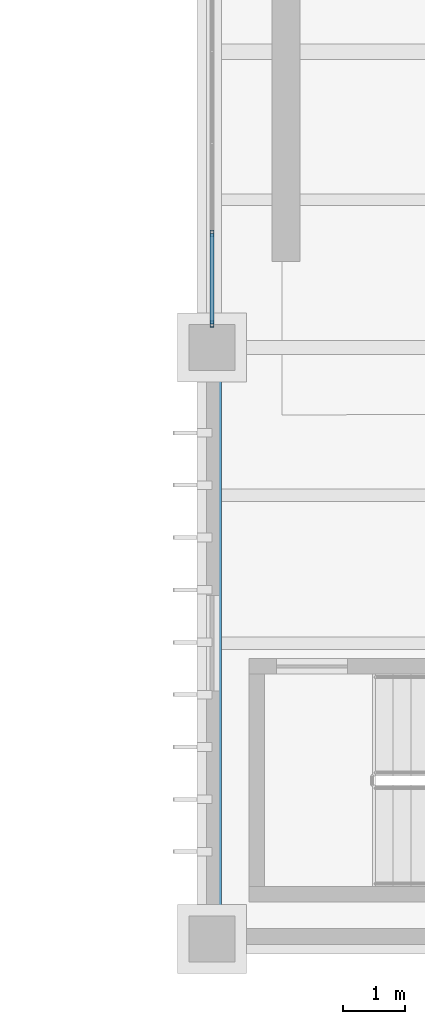
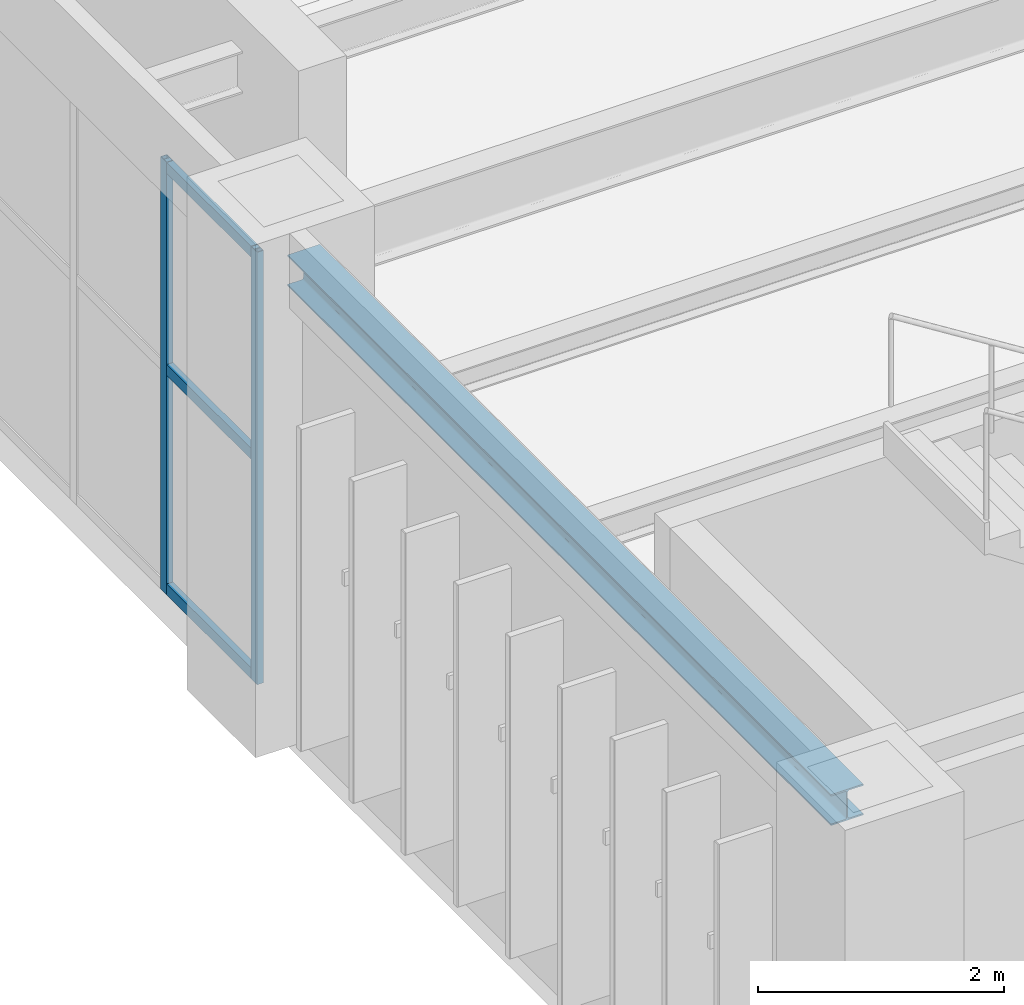
# One storey, part 43 of 174: 5 members, 1 beam, 1 element without a shape of its own.
"""IFC4 building model written with IfcOpenShell, lengths in metres."""

import ifcopenshell
import ifcopenshell.guid

model = None  # the IFC model being written
_history = None  # IfcOwnerHistory: only IFC2X3 demands one
_inside = {}  # id of a spatial element -> (the spatial element, [elements in it])
_under = {}  # id of a project, library or spatial element -> (it, [spatial elements below it])
_declared = {}  # id of a project -> (the project, [libraries it declares])
_typed = {}  # id of a type object -> (the type object, [elements of that type])
_made_of = {}  # id of a material, layer set ... -> (it, [elements and type objects made of it])


def new_model(schema):
    """Start an empty IFC model of exactly this schema.

    Asked for "IFC4X3", IfcOpenShell would pick the latest addendum, in which some entities
    have other attributes; the version numbers below select the first issue.
    IFC2X3 requires an IfcOwnerHistory on every rooted entity: one is made here for all.
    """
    global model, _history
    if schema == "IFC4X3":
        model = ifcopenshell.file(schema_version=(4, 3, 0, 0))
    else:
        model = ifcopenshell.file(schema=schema)
    _inside.clear()
    _under.clear()
    _declared.clear()
    _typed.clear()
    _made_of.clear()
    _history = None
    if model.schema == "IFC2X3":
        org = make("IfcOrganization", Name="unknown")
        user = make(
            "IfcPersonAndOrganization",
            ThePerson=make("IfcPerson", FamilyName="unknown"),
            TheOrganization=org,
        )
        app = make(
            "IfcApplication",
            ApplicationDeveloper=org,
            Version="unknown",
            ApplicationFullName="unknown",
            ApplicationIdentifier="unknown",
        )
        _history = make(
            "IfcOwnerHistory",
            OwningUser=user,
            OwningApplication=app,
            ChangeAction="ADDED",
            CreationDate=0,
        )
    return model


def make(cls, **values):
    """One entity of the class cls with the attributes given. An attribute that is None is left unset."""
    return model.create_entity(
        cls, **{name: value for name, value in values.items() if value is not None}
    )


def rooted(cls, **values):
    """An entity with a GlobalId (a new one), such as an element, a storey or a relation."""
    return make(cls, GlobalId=ifcopenshell.guid.new(), OwnerHistory=_history, **values)


def si_unit(unit_type, name, prefix=None):
    """IfcSIUnit, for example si_unit("LENGTHUNIT", "METRE", prefix="MILLI")."""
    return make("IfcSIUnit", UnitType=unit_type, Prefix=prefix, Name=name)


def assignment(units):
    """IfcUnitAssignment: the units of a project."""
    return None if units is None else make("IfcUnitAssignment", Units=units)


def point(xyz):
    """IfcCartesianPoint."""
    return None if xyz is None else make("IfcCartesianPoint", Coordinates=xyz)


def direction(xyz):
    """IfcDirection."""
    return None if xyz is None else make("IfcDirection", DirectionRatios=xyz)


def frame(location, z_axis=None, x_axis=None):
    """IfcAxis2Placement3D, a coordinate frame: its origin and axes. An axis left out is left unset."""
    return make(
        "IfcAxis2Placement3D",
        Location=point(location),
        Axis=direction(z_axis),
        RefDirection=direction(x_axis),
    )


def frame_2d(location, x_axis=None):
    """IfcAxis2Placement2D, a coordinate frame in the plane: its origin and x axis."""
    return make(
        "IfcAxis2Placement2D", Location=point(location), RefDirection=direction(x_axis)
    )


def origin():
    """The frame at (0, 0, 0) with its axes left unset."""
    return frame((0.0, 0.0, 0.0))


def origin_2d():
    """The frame at (0, 0) in the plane with its x axis left unset."""
    return frame_2d((0.0, 0.0))


def place(relative_to, where):
    """IfcLocalPlacement: puts the frame where relative to a parent placement (None: the world)."""
    return make(
        "IfcLocalPlacement", PlacementRelTo=relative_to, RelativePlacement=where
    )


def context(
    kind, dimensions, precision=None, world=None, true_north=None, identifier=None
):
    """IfcGeometricRepresentationContext, for example the 3D "Model" context."""
    return make(
        "IfcGeometricRepresentationContext",
        ContextIdentifier=identifier,
        ContextType=kind,
        CoordinateSpaceDimension=dimensions,
        Precision=precision,
        WorldCoordinateSystem=world,
        TrueNorth=true_north,
    )


def subcontext(parent, identifier, kind, view, scale=None):
    """IfcGeometricRepresentationSubContext, for example "Body" below "Model"."""
    return make(
        "IfcGeometricRepresentationSubContext",
        ContextIdentifier=identifier,
        ContextType=kind,
        ParentContext=parent,
        TargetScale=scale,
        TargetView=view,
    )


def project(units=None, contexts=None):
    """IfcProject with its units and contexts."""
    return rooted(
        "IfcProject",
        Name="project",
        RepresentationContexts=contexts,
        UnitsInContext=assignment(units),
    )


def spatial(cls, under=None, at=None, **own):
    """A site, building, storey or space (cls), placed at a placement, below another one or the project."""
    s = rooted(cls, ObjectPlacement=at, **own)
    if under is not None:
        _under.setdefault(under.id(), (under, []))[1].append(s)
    return s


def profile(cls, at=None, kind="AREA", **sizes):
    """A parametric profile (cls). Its sizes go by their IFC names, for example OverallWidth=200.0."""
    return make(cls, ProfileType=kind, Position=at, **sizes)


def hollow_rectangle(**sizes):
    """IfcRectangleHollowProfileDef."""
    return profile("IfcRectangleHollowProfileDef", **sizes)


def i_section(**sizes):
    """IfcIShapeProfileDef."""
    return profile("IfcIShapeProfileDef", **sizes)


def extrude(swept, where, along, depth):
    """IfcExtrudedAreaSolid: the profile swept, set in the frame where, extruded along a direction by depth."""
    return make(
        "IfcExtrudedAreaSolid",
        SweptArea=swept,
        Position=where,
        ExtrudedDirection=direction(along),
        Depth=depth,
    )


def shape(context_of_items, identifier, shape_type, items):
    """IfcShapeRepresentation: the items that make up one representation, for example the "Body"."""
    return make(
        "IfcShapeRepresentation",
        ContextOfItems=context_of_items,
        RepresentationIdentifier=identifier,
        RepresentationType=shape_type,
        Items=items,
    )


def material(Name=None, Category=None):
    """IfcMaterial."""
    return make("IfcMaterial", Name=Name, Category=Category)


def material_profile(
    of_material, cross_section, Name=None, Category=None, Priority=None
):
    """IfcMaterialProfile: a cross section and its material."""
    return make(
        "IfcMaterialProfile",
        Name=Name,
        Material=of_material,
        Profile=cross_section,
        Priority=Priority,
        Category=Category,
    )


def profile_set(profiles, Name=None, composite=None):
    """IfcMaterialProfileSet."""
    return make(
        "IfcMaterialProfileSet",
        Name=Name,
        MaterialProfiles=profiles,
        CompositeProfile=composite,
    )


def made_of(thing, what):
    """Note that an element or type object is made of a material, layer set ...; save() writes the relation."""
    if what is not None:
        _made_of.setdefault(what.id(), (what, []))[1].append(thing)
    return thing


def type_object(cls, material=None, **own):
    """A type object (cls), such as IfcWallType, which elements share."""
    return made_of(rooted(cls, **own), material)


def element(
    cls,
    number,
    at=None,
    inside=None,
    cuts=None,
    type_object=None,
    material=None,
    context=None,
    identifier="Body",
    shape_type=None,
    held_by="IfcProductDefinitionShape",
    body=None,
    shapes=None,
    **own,
):
    """One element of the class cls, such as IfcWall. Its Tag is "e" and its number.

    at: its placement. inside: the storey or other place that contains it. cuts: it is an
    opening in that element (IfcRelVoidsElement). A single representation is given by context,
    identifier, shape_type and body (its items); several are given by shapes. held_by: the class
    of the entity that holds the representations. save() writes the other relations.
    """
    e = rooted(cls, Tag="e%d" % number, ObjectPlacement=at, **own)
    if body is not None:
        shapes = [shape(context, identifier, shape_type, body)]
    if shapes is not None:
        e.Representation = make(held_by, Representations=shapes)
    if inside is not None:
        _inside.setdefault(inside.id(), (inside, []))[1].append(e)
    if cuts is not None:
        rooted(
            "IfcRelVoidsElement", RelatingBuildingElement=cuts, RelatedOpeningElement=e
        )
    if type_object is not None:
        _typed.setdefault(type_object.id(), (type_object, []))[1].append(e)
    return made_of(e, material)


def aggregate(whole, parts):
    """IfcRelAggregates: a whole, such as a stair, and the parts it consists of."""
    return rooted("IfcRelAggregates", RelatingObject=whole, RelatedObjects=parts)


def save(model, path):
    """Write the relations noted so far, then the file.

    IfcRelAggregates (storeys below a building ...), IfcRelContainedInSpatialStructure (elements
    in a storey), IfcRelDefinesByType, IfcRelAssociatesMaterial and IfcRelDeclares: one each for
    every whole, place, type object, material and project.
    """
    for whole, parts in _under.values():
        aggregate(whole, parts)
    for where, things in _inside.values():
        rooted(
            "IfcRelContainedInSpatialStructure",
            RelatedElements=things,
            RelatingStructure=where,
        )
    for kind, things in _typed.values():
        rooted("IfcRelDefinesByType", RelatedObjects=things, RelatingType=kind)
    for what, things in _made_of.values():
        rooted("IfcRelAssociatesMaterial", RelatedObjects=things, RelatingMaterial=what)
    for by, libraries in _declared.values():
        rooted("IfcRelDeclares", RelatingContext=by, RelatedDefinitions=libraries)
    model.write(path)


model = new_model("IFC4")

# Units and contexts
model_context = context("Model", 3, precision=1e-05, world=origin(), true_north=direction((0.0, 1.0)))
body_context = subcontext(model_context, "Body", "Model", "MODEL_VIEW")
ifc_project = project(units=[si_unit("LENGTHUNIT", "METRE"), si_unit("AREAUNIT", "SQUARE_METRE"), si_unit("VOLUMEUNIT", "CUBIC_METRE"), si_unit("PLANEANGLEUNIT", "RADIAN"), si_unit("MASSUNIT", "GRAM", prefix="KILO")], contexts=[model_context])

# Site, building, storey
site_placement = place(None, origin())
site = spatial("IfcSite", under=ifc_project, at=site_placement, CompositionType="ELEMENT")
building_placement = place(site_placement, origin())
building = spatial("IfcBuilding", under=site, at=building_placement, Name="Mavantir Sound Aquarium", CompositionType="ELEMENT")
storey_placement = place(building_placement, frame((0.0, 0.0, 5.39990234375)))
storey = spatial("IfcBuildingStorey", under=building, at=storey_placement, Name="L01", CompositionType="ELEMENT", Elevation=5.39990234375)

# Beam
ifc_material_1 = material(Name="Structural Steel ASTM A992 Gr50", Category="steel")
ifc_material_profile_1 = material_profile(ifc_material_1, i_section(OverallWidth=0.304931640625, OverallDepth=0.30810546875, WebThickness=0.010009765625, FlangeThickness=0.015380859375, FilletRadius=0.014892578125, at=origin_2d()), Name="W310X97")
ifc_profile_set_1 = profile_set([ifc_material_profile_1], Name="Structural Steel ASTM A992 Gr50")
beam_type = type_object("IfcBeamType", Name="BM-W310X97-E", PredefinedType="SPANDREL", material=ifc_profile_set_1)
beam_placement = place(storey_placement, frame((108.0, 0.375, 4.592041015625), z_axis=(0.0, 1.0, 0.0), x_axis=(-1.0, 0.0, 0.0)))
element("IfcBeam", 1, at=beam_placement, inside=storey, type_object=beam_type, Name="L01 primary girder SS-31A 1409", PredefinedType="SPANDREL", context=body_context, shape_type="SweptSolid", body=[
    extrude(i_section(OverallWidth=0.304931640625, OverallDepth=0.30810546875, WebThickness=0.010009765625, FlangeThickness=0.015380859375, FilletRadius=0.014892578125, at=origin_2d()), origin(), (0.0, 0.0, 1.0), 8.85009765625),
])

# Curtain wall, members
ifc_material_2 = material(Name="Anodised Marine Aluminium and Low-E Glass", Category="aluminium")
curtain_wall_type = type_object("IfcCurtainWallType", Name="CW-T01", PredefinedType="USERDEFINED", material=ifc_material_2)
curtain_wall_placement = place(storey_placement, origin())
curtain_wall = element("IfcCurtainWall", 2, at=curtain_wall_placement, inside=storey, type_object=curtain_wall_type, Name="L01 unitised curtain wall CW-01 121", ObjectType="UNITISED GLAZING", PredefinedType="USERDEFINED")
ifc_material_3 = material(Name="Anodised Marine Aluminium 6063-T6", Category="aluminium")
ifc_material_profile_2 = material_profile(ifc_material_3, hollow_rectangle(XDim=0.06005859375, YDim=0.10009765625, WallThickness=0.00390625, at=origin_2d()), Name="ALU-MULLION-100X60")
ifc_profile_set_2 = profile_set([ifc_material_profile_2], Name="Anodised Marine Aluminium 6063-T6")
member_type_1 = type_object("IfcMemberType", Name="CW-MUL-100", PredefinedType="MULLION", material=ifc_profile_set_2)
member_1_placement = place(storey_placement, frame((108.0, 11.455322265625, 0.0), z_axis=(0.0, 0.0, 1.0), x_axis=(1.0, 0.0, 0.0)))
member_1 = element("IfcMember", 3, at=member_1_placement, type_object=member_type_1, Name="CW-L01-121 vertical mullion 6", PredefinedType="MULLION", context=body_context, shape_type="SweptSolid", body=[
    extrude(hollow_rectangle(XDim=0.06005859375, YDim=0.10009765625, WallThickness=0.00390625, at=origin_2d()), origin(), (0.0, 0.0, 1.0), 4.299072265625),
])
member_2_placement = place(storey_placement, frame((108.0, 9.98291015625, 0.0), z_axis=(0.0, 0.0, 1.0), x_axis=(1.0, 0.0, 0.0)))
member_2 = element("IfcMember", 4, at=member_2_placement, type_object=member_type_1, Name="CW-L01-121 vertical mullion 7", PredefinedType="MULLION", context=body_context, shape_type="SweptSolid", body=[
    extrude(hollow_rectangle(XDim=0.06005859375, YDim=0.10009765625, WallThickness=0.00390625, at=origin_2d()), origin(), (0.0, 0.0, 1.0), 4.299072265625),
])
ifc_material_profile_3 = material_profile(ifc_material_3, hollow_rectangle(XDim=0.06005859375, YDim=0.110107421875, WallThickness=0.00390625, at=origin_2d()), Name="ALU-TRANSOM-110X60")
ifc_profile_set_3 = profile_set([ifc_material_profile_3], Name="Anodised Marine Aluminium 6063-T6")
member_type_2 = type_object("IfcMemberType", Name="CW-TRN-110", PredefinedType="USERDEFINED", material=ifc_profile_set_3)
member_3_placement = place(storey_placement, frame((108.0, 11.455322265625, 0.05517578125), z_axis=(0.0, -1.0, 0.0), x_axis=(1.0, 0.0, 0.0)))
member_3 = element("IfcMember", 5, at=member_3_placement, type_object=member_type_2, Name="CW-L01-121 transom 6.1", ObjectType="TRANSOM", PredefinedType="USERDEFINED", context=body_context, shape_type="SweptSolid", body=[
    extrude(hollow_rectangle(XDim=0.06005859375, YDim=0.110107421875, WallThickness=0.00390625, at=origin_2d()), origin(), (0.0, 0.0, 1.0), 1.472412109375),
])
member_4_placement = place(storey_placement, frame((108.0, 11.455322265625, 2.235595703125), z_axis=(0.0, -1.0, 0.0), x_axis=(1.0, 0.0, 0.0)))
member_4 = element("IfcMember", 6, at=member_4_placement, type_object=member_type_2, Name="CW-L01-121 transom 6.2", ObjectType="TRANSOM", PredefinedType="USERDEFINED", context=body_context, shape_type="SweptSolid", body=[
    extrude(hollow_rectangle(XDim=0.06005859375, YDim=0.110107421875, WallThickness=0.00390625, at=origin_2d()), origin(), (0.0, 0.0, 1.0), 1.472412109375),
])
member_5_placement = place(storey_placement, frame((108.0, 11.455322265625, 4.244140625), z_axis=(0.0, -1.0, 0.0), x_axis=(1.0, 0.0, 0.0)))
member_5 = element("IfcMember", 7, at=member_5_placement, type_object=member_type_2, Name="CW-L01-121 transom 6.3", ObjectType="TRANSOM", PredefinedType="USERDEFINED", context=body_context, shape_type="SweptSolid", body=[
    extrude(hollow_rectangle(XDim=0.06005859375, YDim=0.110107421875, WallThickness=0.00390625, at=origin_2d()), origin(), (0.0, 0.0, 1.0), 1.472412109375),
])
aggregate(curtain_wall, [member_1, member_2, member_3, member_4, member_5])

save(model, "model.ifc")
